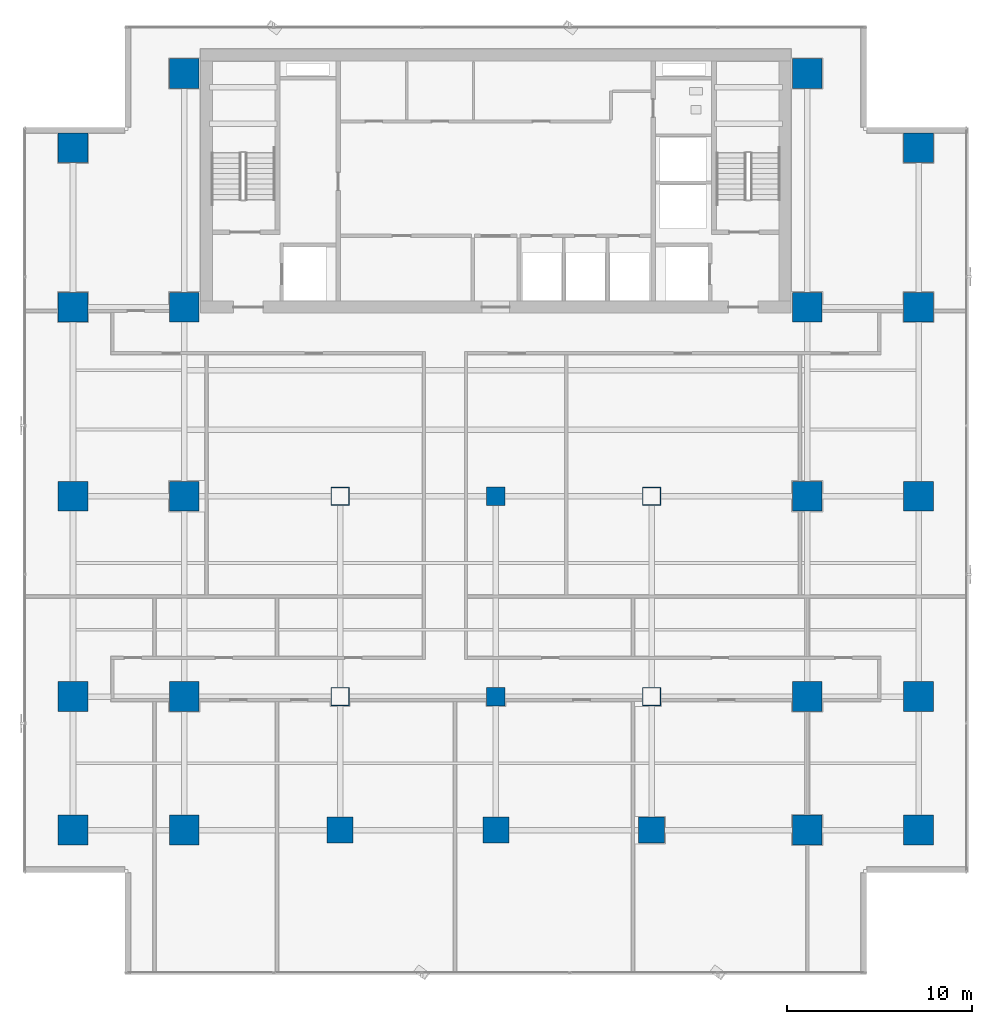
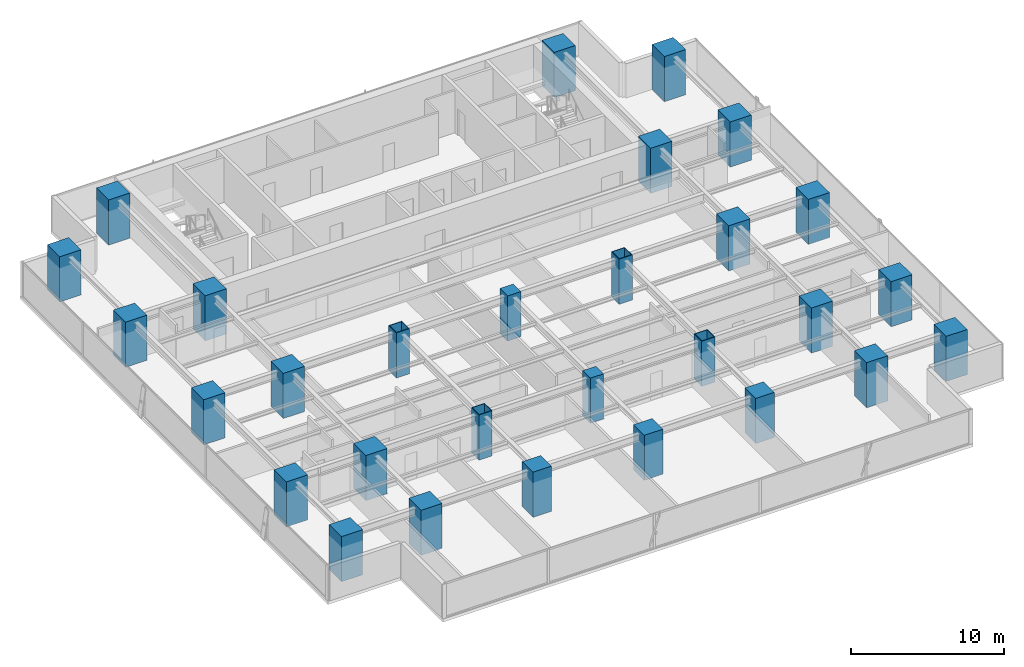
# One storey, part 1 of 35: 29 columns.
"""IFC4 building model written with IfcOpenShell, lengths in metres."""

from ifc_helpers import new_model, si_unit, direction, frame, origin, origin_2d, place, context, subcontext, project, spatial, rectangle, hollow_rectangle, extrude, source, transform, mapped, material, material_profile, profile_set, type_object, element, save


model = new_model("IFC4")

# Units and contexts
model_context = context("Model", 3, precision=1e-05, world=origin(), true_north=direction((0.0, 1.0)))
body_context = subcontext(model_context, "Body", "Model", "MODEL_VIEW")
ifc_project = project(units=[si_unit("LENGTHUNIT", "METRE"), si_unit("AREAUNIT", "SQUARE_METRE"), si_unit("VOLUMEUNIT", "CUBIC_METRE"), si_unit("PLANEANGLEUNIT", "RADIAN"), si_unit("MASSUNIT", "GRAM", prefix="KILO")], contexts=[model_context])

# Site, building, storey
site_placement = place(None, origin())
site = spatial("IfcSite", under=ifc_project, at=site_placement, CompositionType="ELEMENT")
building_placement = place(site_placement, origin())
building = spatial("IfcBuilding", under=site, at=building_placement, Name="Sumidabori Civic Tower", CompositionType="ELEMENT")
storey_placement = place(building_placement, frame((0.0, 0.0, 102.800048828125)))
storey = spatial("IfcBuildingStorey", under=building, at=storey_placement, Name="L26", CompositionType="ELEMENT", Elevation=102.800048828125)

# Columns
ifc_material_1 = material(Name="Concrete C60/75", Category="concrete")
ifc_material_profile_1 = material_profile(ifc_material_1, rectangle(XDim=1.60009765625, YDim=1.60009765625, at=origin_2d()), Name="RC 1600x1600")
ifc_profile_set_1 = profile_set([ifc_material_profile_1], Name="Concrete C60/75")
column_type_1 = type_object("IfcColumnType", Name="CL-MEGA-1600", PredefinedType="COLUMN", material=ifc_profile_set_1)
shared_shape_1 = source(origin(), body_context, "Body", "SweptSolid", [
    extrude(rectangle(XDim=1.60009765625, YDim=1.60009765625, at=origin_2d()), origin(), (0.0, 0.0, 1.0), 3.599853515625),
])
for number, where, z_axis, x_axis, name in (
    (1, (-16.800048828125, -18.0, 0.0), (0.0, 0.0, 1.0), (1.0, 0.0, 0.0), "Column MC-W16-Y18S L26"),
    (2, (-16.800048828125, -10.800048828125, 0.0), (0.0, 0.0, 1.0), (1.0, 0.0, 0.0), "Column MC-W16-Y11S L26"),
    (3, (-16.800048828125, 0.0, 0.0), (0.0, 0.0, 1.0), (1.0, 0.0, 0.0), "Column MC-W16-Y00 L26"),
    (4, (-16.800048828125, 10.199951171875, 0.0), (0.0, 0.0, 1.0), (1.0, 0.0, 0.0), "Column MC-W16-Y10N L26"),
    (5, (-16.800048828125, 22.800048828125, 0.0), (0.0, 0.0, 1.0), (1.0, 0.0, 0.0), "Column MC-W16-Y23N L26"),
    (6, (16.800048828125, -18.0, 0.0), (0.0, 0.0, 1.0), (1.0, 0.0, 0.0), "Column MC-E16-Y18S L26"),
    (7, (16.800048828125, -10.800048828125, 0.0), (0.0, 0.0, 1.0), (1.0, 0.0, 0.0), "Column MC-E16-Y11S L26"),
    (8, (16.800048828125, 0.0, 0.0), (0.0, 0.0, 1.0), (1.0, 0.0, 0.0), "Column MC-E16-Y00 L26"),
    (9, (16.800048828125, 10.199951171875, 0.0), (0.0, 0.0, 1.0), (1.0, 0.0, 0.0), "Column MC-E16-Y10N L26"),
    (10, (16.800048828125, 22.800048828125, 0.0), (0.0, 0.0, 1.0), (1.0, 0.0, 0.0), "Column MC-E16-Y23N L26"),
    (11, (-22.800048828125, -18.0, 0.0), (0.0, 0.0, 1.0), (1.0, 0.0, 0.0), "Column MC-W23-Y18S L26"),
    (12, (-22.800048828125, -10.800048828125, 0.0), (0.0, 0.0, 1.0), (1.0, 0.0, 0.0), "Column MC-W23-Y11S L26"),
    (13, (-22.800048828125, 0.0, 0.0), (0.0, 0.0, 1.0), (1.0, 0.0, 0.0), "Column MC-W23-Y00 L26"),
    (14, (-22.800048828125, 10.199951171875, 0.0), (0.0, 0.0, 1.0), (1.0, 0.0, 0.0), "Column MC-W23-Y10N L26"),
    (15, (-22.800048828125, 18.800048828125, 0.0), (0.0, 0.0, 1.0), (1.0, 0.0, 0.0), "Column MC-W23-Y19N L26"),
    (16, (22.800048828125, -18.0, 0.0), (0.0, 0.0, 1.0), (1.0, 0.0, 0.0), "Column MC-E23-Y18S L26"),
    (17, (22.800048828125, -10.800048828125, 0.0), (0.0, 0.0, 1.0), (1.0, 0.0, 0.0), "Column MC-E23-Y11S L26"),
    (18, (22.800048828125, 0.0, 0.0), (0.0, 0.0, 1.0), (1.0, 0.0, 0.0), "Column MC-E23-Y00 L26"),
    (19, (22.800048828125, 10.199951171875, 0.0), (0.0, 0.0, 1.0), (1.0, 0.0, 0.0), "Column MC-E23-Y10N L26"),
    (20, (22.800048828125, 18.800048828125, 0.0), (0.0, 0.0, 1.0), (1.0, 0.0, 0.0), "Column MC-E23-Y19N L26"),
):
    element("IfcColumn", number, at=place(storey_placement, frame(where, z_axis=z_axis, x_axis=x_axis)), inside=storey, type_object=column_type_1, Name=name, PredefinedType="COLUMN", context=body_context, shape_type="MappedRepresentation", body=[
        mapped(shared_shape_1, transform((0.0, 0.0, 0.0), x_axis=(1.0, 0.0, 0.0), y_axis=(0.0, 1.0, 0.0), z_axis=(0.0, 0.0, 1.0), scale=1.0)),
    ])
ifc_material_2 = material(Name="Steel SM570", Category="steel")
ifc_material_profile_2 = material_profile(ifc_material_2, hollow_rectangle(XDim=1.0, YDim=1.0, WallThickness=0.044921875, at=origin_2d()), Name="SHS 1000x1000x45")
ifc_profile_set_2 = profile_set([ifc_material_profile_2], Name="Steel SM570")
column_type_2 = type_object("IfcColumnType", Name="CL-PORTAL-SHS1000", PredefinedType="COLUMN", material=ifc_profile_set_2)
shared_shape_2 = source(origin(), body_context, "Body", "SweptSolid", [
    extrude(hollow_rectangle(XDim=1.0, YDim=1.0, WallThickness=0.044921875, at=origin_2d()), origin(), (0.0, 0.0, 1.0), 3.599853515625),
])
for number, where, z_axis, x_axis, name in (
    (21, (-8.39990234375, 0.0, 0.0), (0.0, 0.0, 1.0), (1.0, 0.0, 0.0), "Column MC-W08-Y00 L26"),
    (22, (-8.39990234375, -10.800048828125, 0.0), (0.0, 0.0, 1.0), (1.0, 0.0, 0.0), "Column MC-W08-Y11S L26"),
    (23, (8.39990234375, 0.0, 0.0), (0.0, 0.0, 1.0), (1.0, 0.0, 0.0), "Column MC-E08-Y00 L26"),
    (24, (8.39990234375, -10.800048828125, 0.0), (0.0, 0.0, 1.0), (1.0, 0.0, 0.0), "Column MC-E08-Y11S L26"),
):
    element("IfcColumn", number, at=place(storey_placement, frame(where, z_axis=z_axis, x_axis=x_axis)), inside=storey, type_object=column_type_2, Name=name, PredefinedType="COLUMN", context=body_context, shape_type="MappedRepresentation", body=[
        mapped(shared_shape_2, transform((0.0, 0.0, 0.0), x_axis=(1.0, 0.0, 0.0), y_axis=(0.0, 1.0, 0.0), z_axis=(0.0, 0.0, 1.0), scale=1.0)),
    ])
ifc_material_profile_3 = material_profile(ifc_material_1, rectangle(XDim=1.39990234375, YDim=1.39990234375, at=origin_2d()), Name="RC 1400x1400")
ifc_profile_set_3 = profile_set([ifc_material_profile_3], Name="Concrete C60/75")
column_type_3 = type_object("IfcColumnType", Name="CL-MEGA-1400", PredefinedType="COLUMN", material=ifc_profile_set_3)
shared_shape_3 = source(origin(), body_context, "Body", "SweptSolid", [
    extrude(rectangle(XDim=1.39990234375, YDim=1.39990234375, at=origin_2d()), origin(), (0.0, 0.0, 1.0), 3.599853515625),
])
for number, where, z_axis, x_axis, name in (
    (25, (-8.39990234375, -18.0, 0.0), (0.0, 0.0, 1.0), (1.0, 0.0, 0.0), "Column MC-W08-Y18S L26"),
    (26, (8.39990234375, -18.0, 0.0), (0.0, 0.0, 1.0), (1.0, 0.0, 0.0), "Column MC-E08-Y18S L26"),
    (27, (0.0, -18.0, 0.0), (0.0, 0.0, 1.0), (1.0, 0.0, 0.0), "Column MC-C00-Y18S L26"),
):
    element("IfcColumn", number, at=place(storey_placement, frame(where, z_axis=z_axis, x_axis=x_axis)), inside=storey, type_object=column_type_3, Name=name, PredefinedType="COLUMN", context=body_context, shape_type="MappedRepresentation", body=[
        mapped(shared_shape_3, transform((0.0, 0.0, 0.0), x_axis=(1.0, 0.0, 0.0), y_axis=(0.0, 1.0, 0.0), z_axis=(0.0, 0.0, 1.0), scale=1.0)),
    ])
ifc_material_3 = material(Name="Concrete C50/60", Category="concrete")
ifc_material_profile_4 = material_profile(ifc_material_3, rectangle(XDim=1.0, YDim=1.0, at=origin_2d()), Name="RC 1000x1000")
ifc_profile_set_4 = profile_set([ifc_material_profile_4], Name="Concrete C50/60")
column_type_4 = type_object("IfcColumnType", Name="CL-INT-1000", PredefinedType="COLUMN", material=ifc_profile_set_4)
shared_shape_4 = source(origin(), body_context, "Body", "SweptSolid", [
    extrude(rectangle(XDim=1.0, YDim=1.0, at=origin_2d()), origin(), (0.0, 0.0, 1.0), 3.599853515625),
])
for number, where, z_axis, x_axis, name in (
    (28, (0.0, -10.800048828125, 0.0), (0.0, 0.0, 1.0), (1.0, 0.0, 0.0), "Column MC-C00-Y11S L26"),
    (29, (0.0, 0.0, 0.0), (0.0, 0.0, 1.0), (1.0, 0.0, 0.0), "Column MC-C00-Y00 L26"),
):
    element("IfcColumn", number, at=place(storey_placement, frame(where, z_axis=z_axis, x_axis=x_axis)), inside=storey, type_object=column_type_4, Name=name, PredefinedType="COLUMN", context=body_context, shape_type="MappedRepresentation", body=[
        mapped(shared_shape_4, transform((0.0, 0.0, 0.0), x_axis=(1.0, 0.0, 0.0), y_axis=(0.0, 1.0, 0.0), z_axis=(0.0, 0.0, 1.0), scale=1.0)),
    ])

save(model, "model.ifc")
